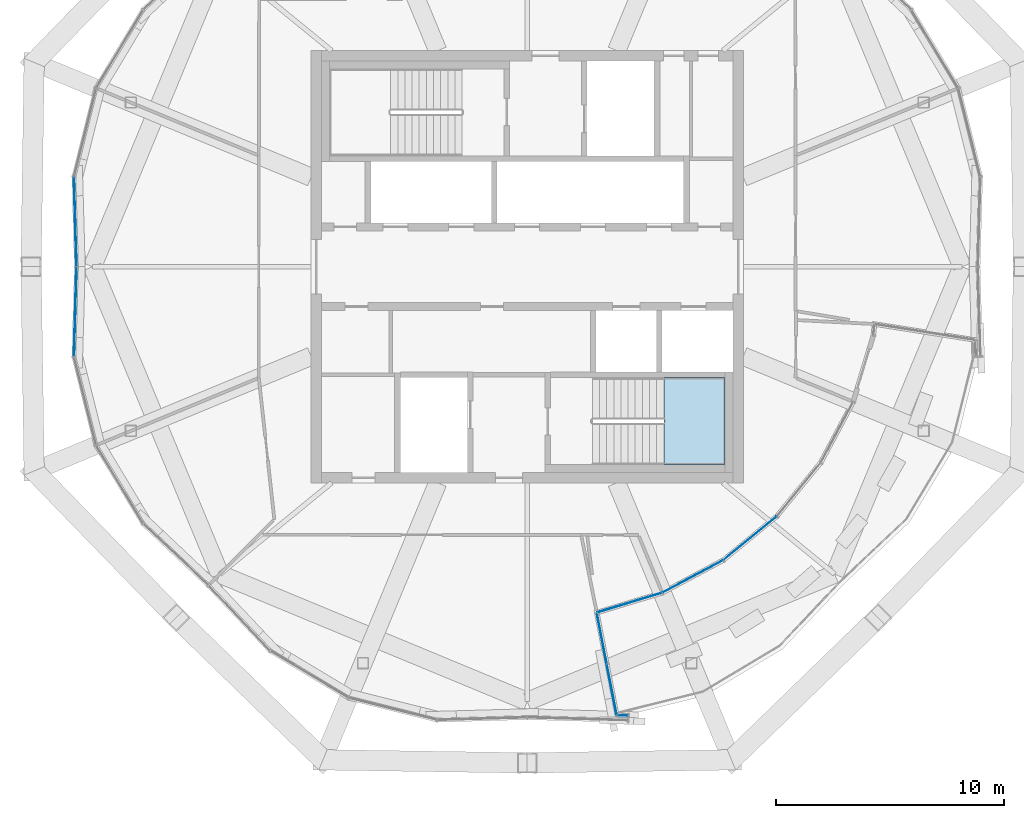
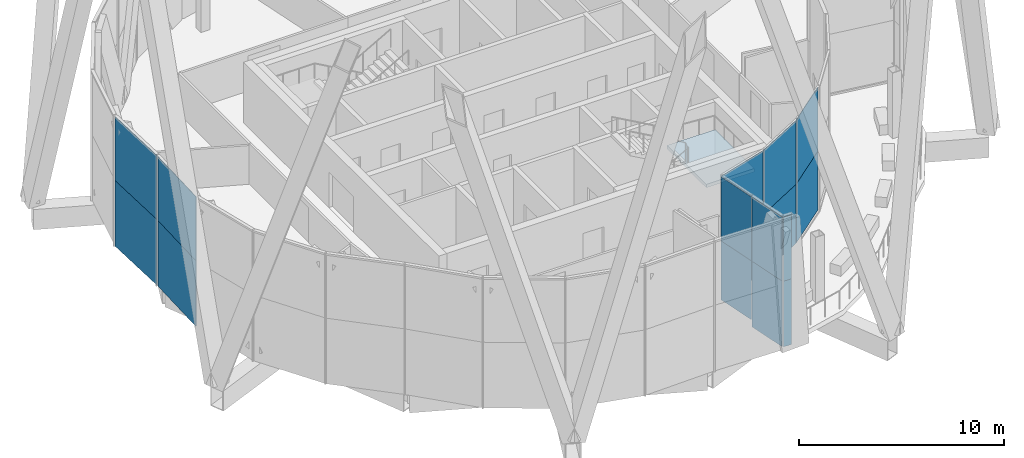
# One storey, part 40 of 53: 16 plates, 1 slab, 5 elements without a shape of their own.
"""IFC4 building model written with IfcOpenShell, lengths in metres."""

import ifcopenshell
import ifcopenshell.guid

model = None  # the IFC model being written
_history = None  # IfcOwnerHistory: only IFC2X3 demands one
_inside = {}  # id of a spatial element -> (the spatial element, [elements in it])
_under = {}  # id of a project, library or spatial element -> (it, [spatial elements below it])
_declared = {}  # id of a project -> (the project, [libraries it declares])
_typed = {}  # id of a type object -> (the type object, [elements of that type])
_made_of = {}  # id of a material, layer set ... -> (it, [elements and type objects made of it])


def new_model(schema):
    """Start an empty IFC model of exactly this schema.

    Asked for "IFC4X3", IfcOpenShell would pick the latest addendum, in which some entities
    have other attributes; the version numbers below select the first issue.
    IFC2X3 requires an IfcOwnerHistory on every rooted entity: one is made here for all.
    """
    global model, _history
    if schema == "IFC4X3":
        model = ifcopenshell.file(schema_version=(4, 3, 0, 0))
    else:
        model = ifcopenshell.file(schema=schema)
    _inside.clear()
    _under.clear()
    _declared.clear()
    _typed.clear()
    _made_of.clear()
    _history = None
    if model.schema == "IFC2X3":
        org = make("IfcOrganization", Name="unknown")
        user = make(
            "IfcPersonAndOrganization",
            ThePerson=make("IfcPerson", FamilyName="unknown"),
            TheOrganization=org,
        )
        app = make(
            "IfcApplication",
            ApplicationDeveloper=org,
            Version="unknown",
            ApplicationFullName="unknown",
            ApplicationIdentifier="unknown",
        )
        _history = make(
            "IfcOwnerHistory",
            OwningUser=user,
            OwningApplication=app,
            ChangeAction="ADDED",
            CreationDate=0,
        )
    return model


def make(cls, **values):
    """One entity of the class cls with the attributes given. An attribute that is None is left unset."""
    return model.create_entity(
        cls, **{name: value for name, value in values.items() if value is not None}
    )


def rooted(cls, **values):
    """An entity with a GlobalId (a new one), such as an element, a storey or a relation."""
    return make(cls, GlobalId=ifcopenshell.guid.new(), OwnerHistory=_history, **values)


def si_unit(unit_type, name, prefix=None):
    """IfcSIUnit, for example si_unit("LENGTHUNIT", "METRE", prefix="MILLI")."""
    return make("IfcSIUnit", UnitType=unit_type, Prefix=prefix, Name=name)


def assignment(units):
    """IfcUnitAssignment: the units of a project."""
    return None if units is None else make("IfcUnitAssignment", Units=units)


def point(xyz):
    """IfcCartesianPoint."""
    return None if xyz is None else make("IfcCartesianPoint", Coordinates=xyz)


def direction(xyz):
    """IfcDirection."""
    return None if xyz is None else make("IfcDirection", DirectionRatios=xyz)


def frame(location, z_axis=None, x_axis=None):
    """IfcAxis2Placement3D, a coordinate frame: its origin and axes. An axis left out is left unset."""
    return make(
        "IfcAxis2Placement3D",
        Location=point(location),
        Axis=direction(z_axis),
        RefDirection=direction(x_axis),
    )


def frame_2d(location, x_axis=None):
    """IfcAxis2Placement2D, a coordinate frame in the plane: its origin and x axis."""
    return make(
        "IfcAxis2Placement2D", Location=point(location), RefDirection=direction(x_axis)
    )


def origin():
    """The frame at (0, 0, 0) with its axes left unset."""
    return frame((0.0, 0.0, 0.0))


def origin_2d():
    """The frame at (0, 0) in the plane with its x axis left unset."""
    return frame_2d((0.0, 0.0))


def place(relative_to, where):
    """IfcLocalPlacement: puts the frame where relative to a parent placement (None: the world)."""
    return make(
        "IfcLocalPlacement", PlacementRelTo=relative_to, RelativePlacement=where
    )


def context(
    kind, dimensions, precision=None, world=None, true_north=None, identifier=None
):
    """IfcGeometricRepresentationContext, for example the 3D "Model" context."""
    return make(
        "IfcGeometricRepresentationContext",
        ContextIdentifier=identifier,
        ContextType=kind,
        CoordinateSpaceDimension=dimensions,
        Precision=precision,
        WorldCoordinateSystem=world,
        TrueNorth=true_north,
    )


def subcontext(parent, identifier, kind, view, scale=None):
    """IfcGeometricRepresentationSubContext, for example "Body" below "Model"."""
    return make(
        "IfcGeometricRepresentationSubContext",
        ContextIdentifier=identifier,
        ContextType=kind,
        ParentContext=parent,
        TargetScale=scale,
        TargetView=view,
    )


def project(units=None, contexts=None):
    """IfcProject with its units and contexts."""
    return rooted(
        "IfcProject",
        Name="project",
        RepresentationContexts=contexts,
        UnitsInContext=assignment(units),
    )


def spatial(cls, under=None, at=None, **own):
    """A site, building, storey or space (cls), placed at a placement, below another one or the project."""
    s = rooted(cls, ObjectPlacement=at, **own)
    if under is not None:
        _under.setdefault(under.id(), (under, []))[1].append(s)
    return s


def polyline(points):
    """IfcPolyline through the points."""
    return make("IfcPolyline", Points=[point(p) for p in points])


def profile(cls, at=None, kind="AREA", **sizes):
    """A parametric profile (cls). Its sizes go by their IFC names, for example OverallWidth=200.0."""
    return make(cls, ProfileType=kind, Position=at, **sizes)


def rectangle(**sizes):
    """IfcRectangleProfileDef."""
    return profile("IfcRectangleProfileDef", **sizes)


def outline(outer, holes=None, kind="AREA"):
    """IfcArbitraryClosedProfileDef: a profile drawn as a closed curve; with holes, ...WithVoids."""
    if holes is None:
        return make("IfcArbitraryClosedProfileDef", ProfileType=kind, OuterCurve=outer)
    return make(
        "IfcArbitraryProfileDefWithVoids",
        ProfileType=kind,
        OuterCurve=outer,
        InnerCurves=holes,
    )


def extrude(swept, where, along, depth):
    """IfcExtrudedAreaSolid: the profile swept, set in the frame where, extruded along a direction by depth."""
    return make(
        "IfcExtrudedAreaSolid",
        SweptArea=swept,
        Position=where,
        ExtrudedDirection=direction(along),
        Depth=depth,
    )


def shape(context_of_items, identifier, shape_type, items):
    """IfcShapeRepresentation: the items that make up one representation, for example the "Body"."""
    return make(
        "IfcShapeRepresentation",
        ContextOfItems=context_of_items,
        RepresentationIdentifier=identifier,
        RepresentationType=shape_type,
        Items=items,
    )


def material(Name=None, Category=None):
    """IfcMaterial."""
    return make("IfcMaterial", Name=Name, Category=Category)


def layer(
    of_material, thickness, ventilated=None, Name=None, Category=None, Priority=None
):
    """IfcMaterialLayer: one layer of a wall or slab, of a material (None: an air gap)."""
    return make(
        "IfcMaterialLayer",
        Material=of_material,
        LayerThickness=thickness,
        IsVentilated=ventilated,
        Name=Name,
        Category=Category,
        Priority=Priority,
    )


def layer_set(layers, Name=None):
    """IfcMaterialLayerSet."""
    return make("IfcMaterialLayerSet", MaterialLayers=layers, LayerSetName=Name)


def made_of(thing, what):
    """Note that an element or type object is made of a material, layer set ...; save() writes the relation."""
    if what is not None:
        _made_of.setdefault(what.id(), (what, []))[1].append(thing)
    return thing


def type_object(cls, material=None, **own):
    """A type object (cls), such as IfcWallType, which elements share."""
    return made_of(rooted(cls, **own), material)


def element(
    cls,
    number,
    at=None,
    inside=None,
    cuts=None,
    type_object=None,
    material=None,
    context=None,
    identifier="Body",
    shape_type=None,
    held_by="IfcProductDefinitionShape",
    body=None,
    shapes=None,
    **own,
):
    """One element of the class cls, such as IfcWall. Its Tag is "e" and its number.

    at: its placement. inside: the storey or other place that contains it. cuts: it is an
    opening in that element (IfcRelVoidsElement). A single representation is given by context,
    identifier, shape_type and body (its items); several are given by shapes. held_by: the class
    of the entity that holds the representations. save() writes the other relations.
    """
    e = rooted(cls, Tag="e%d" % number, ObjectPlacement=at, **own)
    if body is not None:
        shapes = [shape(context, identifier, shape_type, body)]
    if shapes is not None:
        e.Representation = make(held_by, Representations=shapes)
    if inside is not None:
        _inside.setdefault(inside.id(), (inside, []))[1].append(e)
    if cuts is not None:
        rooted(
            "IfcRelVoidsElement", RelatingBuildingElement=cuts, RelatedOpeningElement=e
        )
    if type_object is not None:
        _typed.setdefault(type_object.id(), (type_object, []))[1].append(e)
    return made_of(e, material)


def aggregate(whole, parts):
    """IfcRelAggregates: a whole, such as a stair, and the parts it consists of."""
    return rooted("IfcRelAggregates", RelatingObject=whole, RelatedObjects=parts)


def save(model, path):
    """Write the relations noted so far, then the file.

    IfcRelAggregates (storeys below a building ...), IfcRelContainedInSpatialStructure (elements
    in a storey), IfcRelDefinesByType, IfcRelAssociatesMaterial and IfcRelDeclares: one each for
    every whole, place, type object, material and project.
    """
    for whole, parts in _under.values():
        aggregate(whole, parts)
    for where, things in _inside.values():
        rooted(
            "IfcRelContainedInSpatialStructure",
            RelatedElements=things,
            RelatingStructure=where,
        )
    for kind, things in _typed.values():
        rooted("IfcRelDefinesByType", RelatedObjects=things, RelatingType=kind)
    for what, things in _made_of.values():
        rooted("IfcRelAssociatesMaterial", RelatedObjects=things, RelatingMaterial=what)
    for by, libraries in _declared.values():
        rooted("IfcRelDeclares", RelatingContext=by, RelatedDefinitions=libraries)
    model.write(path)


model = new_model("IFC4")

# Units and contexts
model_context = context("Model", 3, precision=1e-05, world=origin(), true_north=direction((0.0, 1.0)))
body_context = subcontext(model_context, "Body", "Model", "MODEL_VIEW")
ifc_project = project(units=[si_unit("LENGTHUNIT", "METRE"), si_unit("AREAUNIT", "SQUARE_METRE"), si_unit("VOLUMEUNIT", "CUBIC_METRE"), si_unit("PLANEANGLEUNIT", "RADIAN"), si_unit("MASSUNIT", "GRAM", prefix="KILO")], contexts=[model_context])

# Site, building, storey
site_placement = place(None, origin())
site = spatial("IfcSite", under=ifc_project, at=site_placement, CompositionType="ELEMENT")
building_placement = place(site_placement, origin())
building = spatial("IfcBuilding", under=site, at=building_placement, Name="Ogive Gate Towers", CompositionType="ELEMENT")
storey_placement = place(building_placement, frame((0.0, 0.0, 240.60009765625)))
storey = spatial("IfcBuildingStorey", under=building, at=storey_placement, Name="L57", CompositionType="ELEMENT", Elevation=240.60009765625)

# Curtain wall, plates
ifc_material_1 = material(Name="Pale metal aluminium", Category="aluminium")
curtain_wall_type_1 = type_object("IfcCurtainWallType", Name="Sky garden glazing", PredefinedType="NOTDEFINED", material=ifc_material_1)
curtain_wall_1_placement = place(storey_placement, origin())
curtain_wall_1 = element("IfcCurtainWall", 1, at=curtain_wall_1_placement, inside=storey, type_object=curtain_wall_type_1, Name="CW4 T1 ECW01", PredefinedType="NOTDEFINED")
ifc_material_2 = material(Name="Clear glass", Category="glass")
ifc_layer_1 = layer(ifc_material_2, 0.028076171875)
ifc_layer_set_1 = layer_set([ifc_layer_1], Name="Sky garden glazing glass panel")
plate_type_1 = type_object("IfcPlateType", Name="Sky garden glazing glass panel", PredefinedType="CURTAIN_PANEL", material=ifc_layer_set_1)
plate_1_placement = place(storey_placement, frame((-26.206298828125, -11.930908203125, 0.095947265625), z_axis=(0.0, 0.0, 1.0), x_axis=(-0.773010453363, -0.634393284164, 0.0)))
plate_1 = element("IfcPlate", 2, at=plate_1_placement, type_object=plate_type_1, Name="CW4 glass panel", PredefinedType="CURTAIN_PANEL", context=body_context, shape_type="SweptSolid", body=[
    extrude(rectangle(XDim=2.9931640625, YDim=0.028076171875, at=origin_2d()), origin(), (0.0, 0.0, 1.0), 3.50390625),
])
plate_2_placement = place(storey_placement, frame((-26.206298828125, -11.930908203125, 3.60009765625), z_axis=(0.0, 0.0, 1.0), x_axis=(-0.773010453363, -0.634393284164, 0.0)))
plate_2 = element("IfcPlate", 3, at=plate_2_placement, type_object=plate_type_1, Name="CW4 glass panel", PredefinedType="CURTAIN_PANEL", context=body_context, shape_type="SweptSolid", body=[
    extrude(rectangle(XDim=2.9931640625, YDim=0.028076171875, at=origin_2d()), origin(), (0.0, 0.0, 1.0), 3.803955078125),
])
plate_3_placement = place(storey_placement, frame((-28.7236328125, -13.61328125, 0.095947265625), z_axis=(0.0, 0.0, 1.0), x_axis=(-0.881929491639, -0.471381344324, 0.0)))
plate_3 = element("IfcPlate", 4, at=plate_3_placement, type_object=plate_type_1, Name="CW4 glass panel", PredefinedType="CURTAIN_PANEL", context=body_context, shape_type="SweptSolid", body=[
    extrude(rectangle(XDim=2.989990234375, YDim=0.028076171875, at=origin_2d()), origin(), (0.0, 0.0, 1.0), 3.50390625),
])
plate_4_placement = place(storey_placement, frame((-28.7236328125, -13.61328125, 3.60009765625), z_axis=(0.0, 0.0, 1.0), x_axis=(-0.881929491639, -0.471381344324, 0.0)))
plate_4 = element("IfcPlate", 5, at=plate_4_placement, type_object=plate_type_1, Name="CW4 glass panel", PredefinedType="CURTAIN_PANEL", context=body_context, shape_type="SweptSolid", body=[
    extrude(rectangle(XDim=2.989990234375, YDim=0.028076171875, at=origin_2d()), origin(), (0.0, 0.0, 1.0), 3.803955078125),
])
plate_5_placement = place(storey_placement, frame((-31.498291015625, -14.764892578125, 0.095947265625), z_axis=(0.0, 0.0, 1.0), x_axis=(-0.956940335732, -0.290284677254, 0.0)))
plate_5 = element("IfcPlate", 6, at=plate_5_placement, type_object=plate_type_1, Name="CW4 glass panel", PredefinedType="CURTAIN_PANEL", context=body_context, shape_type="SweptSolid", body=[
    extrude(rectangle(XDim=2.946044921875, YDim=0.028076171875, at=origin_2d()), origin(), (0.0, 0.0, 1.0), 3.50390625),
])
plate_6_placement = place(storey_placement, frame((-31.498291015625, -14.764892578125, 3.60009765625), z_axis=(0.0, 0.0, 1.0), x_axis=(-0.956940335732, -0.290284677254, 0.0)))
plate_6 = element("IfcPlate", 7, at=plate_6_placement, type_object=plate_type_1, Name="CW4 glass panel", PredefinedType="CURTAIN_PANEL", context=body_context, shape_type="SweptSolid", body=[
    extrude(rectangle(XDim=2.946044921875, YDim=0.028076171875, at=origin_2d()), origin(), (0.0, 0.0, 1.0), 3.803955078125),
])
plate_7_placement = place(storey_placement, frame((-32.721923828125, -16.33984375, 0.095947265625), z_axis=(0.0, 0.0, 1.0), x_axis=(0.190826127974, -0.981623853053, 0.0)))
plate_7 = element("IfcPlate", 8, at=plate_7_placement, type_object=plate_type_1, Name="CW4 glass panel", PredefinedType="CURTAIN_PANEL", context=body_context, shape_type="SweptSolid", body=[
    extrude(rectangle(XDim=2.242919921875, YDim=0.028076171875, at=origin_2d()), origin(), (0.0, 0.0, 1.0), 3.50390625),
])
plate_8_placement = place(storey_placement, frame((-32.721923828125, -16.33984375, 3.60009765625), z_axis=(0.0, 0.0, 1.0), x_axis=(0.190826127974, -0.981623853053, 0.0)))
plate_8 = element("IfcPlate", 9, at=plate_8_placement, type_object=plate_type_1, Name="CW4 glass panel", PredefinedType="CURTAIN_PANEL", context=body_context, shape_type="SweptSolid", body=[
    extrude(rectangle(XDim=2.242919921875, YDim=0.028076171875, at=origin_2d()), origin(), (0.0, 0.0, 1.0), 3.803955078125),
])
aggregate(curtain_wall_1, [plate_1, plate_2, plate_3, plate_4, plate_5, plate_6, plate_7, plate_8])

# Stair, slab
ifc_material_3 = material(Name="Concrete C40/50", Category="concrete")
stair_type = type_object("IfcStairType", Name="Escape stair 1840 wide", PredefinedType="HALF_TURN_STAIR", material=ifc_material_3)
stair_placement = place(storey_placement, origin())
stair = element("IfcStair", 10, at=stair_placement, inside=storey, type_object=stair_type, Name="L57 Escape stair 2", PredefinedType="HALF_TURN_STAIR")
ifc_layer_2 = layer(ifc_material_3, 0.199951171875)
ifc_layer_set_2 = layer_set([ifc_layer_2], Name="Stair landing 200 mm")
slab_type = type_object("IfcSlabType", Name="Stair landing 200 mm", PredefinedType="LANDING", material=ifc_layer_set_2)
slab_placement = place(storey_placement, frame((0.0, 0.0, 1.75)))
slab = element("IfcSlab", 11, at=slab_placement, type_object=slab_type, Name="ST2 landing 1", PredefinedType="LANDING", context=body_context, shape_type="SweptSolid", body=[
    extrude(outline(polyline([(-29.99853515625, -8.699951171875), (-27.300048828125, -8.699951171875), (-27.300048828125, -4.875), (-29.99853515625, -4.875), (-29.99853515625, -8.699951171875)])), origin(), (0.0, 0.0, 1.0), 0.199951171875),
])
aggregate(stair, [slab])

# Curtain wall, plates
curtain_wall_type_2 = type_object("IfcCurtainWallType", Name="Tower unitised wall, high zone", PredefinedType="NOTDEFINED", material=ifc_material_1)
curtain_wall_2_placement = place(storey_placement, origin())
curtain_wall_2 = element("IfcCurtainWall", 12, at=curtain_wall_2_placement, inside=storey, type_object=curtain_wall_type_2, Name="CW2 T1 ECW06", PredefinedType="NOTDEFINED")
ifc_layer_3 = layer(ifc_material_2, 0.028076171875)
ifc_layer_set_3 = layer_set([ifc_layer_3], Name="Tower unitised wall, high zone glass panel")
plate_type_2 = type_object("IfcPlateType", Name="Tower unitised wall, high zone glass panel", PredefinedType="CURTAIN_PANEL", material=ifc_layer_set_3)
plate_9_placement = place(storey_placement, frame((-55.865966796875, 1.974853515625, -0.300048828125), z_axis=(0.0, 0.0, 1.0), x_axis=(-0.028322905681, 0.999598826037, 0.0)))
plate_9 = element("IfcPlate", 13, at=plate_9_placement, type_object=plate_type_2, Name="CW2 glass panel", PredefinedType="CURTAIN_PANEL", context=body_context, shape_type="SweptSolid", body=[
    extrude(rectangle(XDim=3.8974609375, YDim=0.028076171875, at=origin_2d()), origin(), (0.0, 0.0, 1.0), 3.89990234375),
])
plate_10_placement = place(storey_placement, frame((-55.865966796875, 1.974853515625, 3.60009765625), z_axis=(0.0, 0.0, 1.0), x_axis=(-0.028322905681, 0.999598826037, 0.0)))
plate_10 = element("IfcPlate", 14, at=plate_10_placement, type_object=plate_type_2, Name="CW2 glass panel", PredefinedType="CURTAIN_PANEL", context=body_context, shape_type="SweptSolid", body=[
    extrude(rectangle(XDim=3.8974609375, YDim=0.028076171875, at=origin_2d()), origin(), (0.0, 0.0, 1.0), 3.803955078125),
])
aggregate(curtain_wall_2, [plate_9, plate_10])

curtain_wall_3_placement = place(storey_placement, origin())
curtain_wall_3 = element("IfcCurtainWall", 15, at=curtain_wall_3_placement, inside=storey, type_object=curtain_wall_type_2, Name="CW2 T1 ECW07", PredefinedType="NOTDEFINED")
plate_11_placement = place(storey_placement, frame((-55.865966796875, -1.974853515625, -0.300048828125), z_axis=(0.0, 0.0, 1.0), x_axis=(0.028322905681, 0.999598826037, 0.0)))
plate_11 = element("IfcPlate", 16, at=plate_11_placement, type_object=plate_type_2, Name="CW2 glass panel", PredefinedType="CURTAIN_PANEL", context=body_context, shape_type="SweptSolid", body=[
    extrude(rectangle(XDim=3.8974609375, YDim=0.028076171875, at=origin_2d()), origin(), (0.0, 0.0, 1.0), 3.89990234375),
])
plate_12_placement = place(storey_placement, frame((-55.865966796875, -1.974853515625, 3.60009765625), z_axis=(0.0, 0.0, 1.0), x_axis=(0.028322905681, 0.999598826037, 0.0)))
plate_12 = element("IfcPlate", 17, at=plate_12_placement, type_object=plate_type_2, Name="CW2 glass panel", PredefinedType="CURTAIN_PANEL", context=body_context, shape_type="SweptSolid", body=[
    extrude(rectangle(XDim=3.8974609375, YDim=0.028076171875, at=origin_2d()), origin(), (0.0, 0.0, 1.0), 3.803955078125),
])
aggregate(curtain_wall_3, [plate_11, plate_12])

curtain_wall_4_placement = place(storey_placement, origin())
curtain_wall_4 = element("IfcCurtainWall", 18, at=curtain_wall_4_placement, inside=storey, type_object=curtain_wall_type_2, Name="CW2 T1 ECW09", PredefinedType="NOTDEFINED")
plate_13_placement = place(storey_placement, frame((-32.285400390625, -18.585205078125, -0.300048828125), z_axis=(0.0, 0.0, 1.0), x_axis=(0.190791862721, -0.981630513543, 0.0)))
plate_13 = element("IfcPlate", 19, at=plate_13_placement, type_object=plate_type_2, Name="CW2 glass panel", PredefinedType="CURTAIN_PANEL", context=body_context, shape_type="SweptSolid", body=[
    extrude(rectangle(XDim=2.234375, YDim=0.028076171875, at=origin_2d()), origin(), (0.0, 0.0, 1.0), 3.89990234375),
])
plate_14_placement = place(storey_placement, frame((-32.285400390625, -18.585205078125, 3.60009765625), z_axis=(0.0, 0.0, 1.0), x_axis=(0.190791862721, -0.981630513543, 0.0)))
plate_14 = element("IfcPlate", 20, at=plate_14_placement, type_object=plate_type_2, Name="CW2 glass panel", PredefinedType="CURTAIN_PANEL", context=body_context, shape_type="SweptSolid", body=[
    extrude(rectangle(XDim=2.234375, YDim=0.028076171875, at=origin_2d()), origin(), (0.0, 0.0, 1.0), 3.803955078125),
])
plate_15_placement = place(storey_placement, frame((-31.802978515625, -19.728759765625, -0.300048828125), z_axis=(0.0, 0.0, 1.0), x_axis=(0.999596350591, -0.028410137027, 0.0)))
plate_15 = element("IfcPlate", 21, at=plate_15_placement, type_object=plate_type_2, Name="CW2 glass panel", PredefinedType="CURTAIN_PANEL", context=body_context, shape_type="SweptSolid", body=[
    extrude(rectangle(XDim=0.443115234375, YDim=0.028076171875, at=origin_2d()), origin(), (0.0, 0.0, 1.0), 3.89990234375),
])
plate_16_placement = place(storey_placement, frame((-31.802978515625, -19.728759765625, 3.60009765625), z_axis=(0.0, 0.0, 1.0), x_axis=(0.999596350591, -0.028410137027, 0.0)))
plate_16 = element("IfcPlate", 22, at=plate_16_placement, type_object=plate_type_2, Name="CW2 glass panel", PredefinedType="CURTAIN_PANEL", context=body_context, shape_type="SweptSolid", body=[
    extrude(rectangle(XDim=0.443115234375, YDim=0.028076171875, at=origin_2d()), origin(), (0.0, 0.0, 1.0), 3.803955078125),
])
aggregate(curtain_wall_4, [plate_13, plate_14, plate_15, plate_16])

save(model, "model.ifc")
